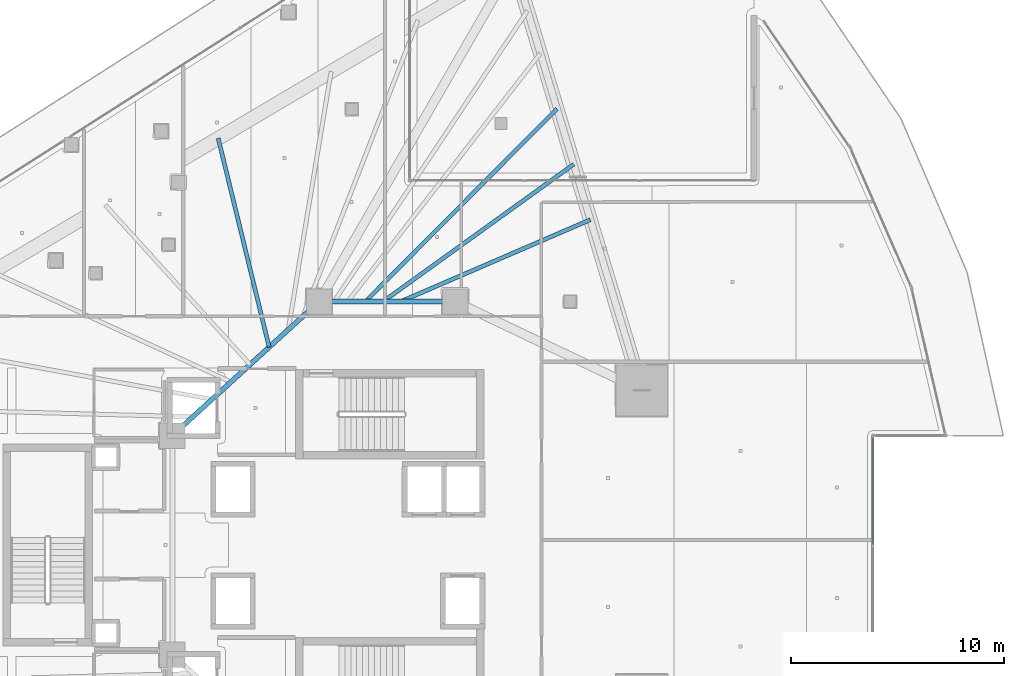
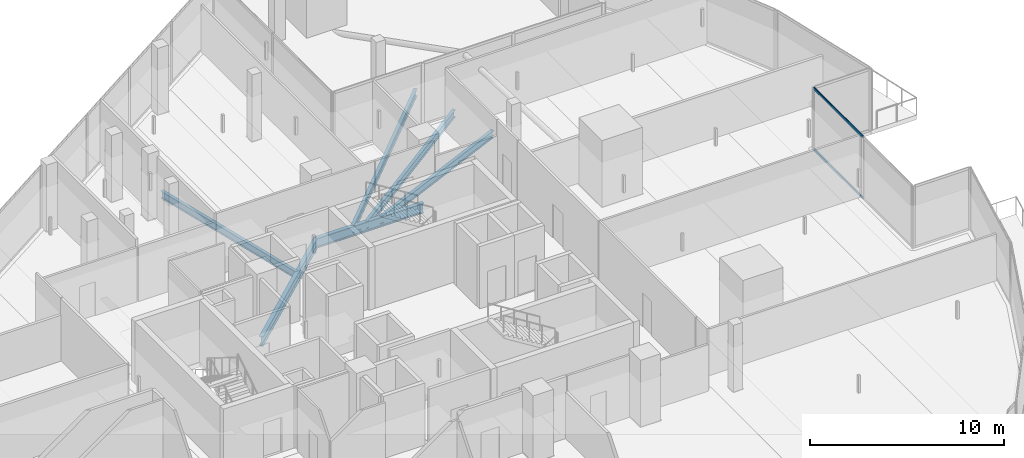
# One storey, part 19 of 47: 6 beams, 2 members, 1 element without a shape of its own.
"""IFC4 building model written with IfcOpenShell, lengths in metres."""

from ifc_helpers import new_model, si_unit, direction, frame, origin, origin_2d, place, context, subcontext, project, spatial, hollow_rectangle, i_section, extrude, material, layer, layer_set, material_profile, profile_set, type_object, element, aggregate, save


model = new_model("IFC4")

# Units and contexts
model_context = context("Model", 3, precision=1e-05, world=origin(), true_north=direction((0.0, 1.0)))
body_context = subcontext(model_context, "Body", "Model", "MODEL_VIEW")
ifc_project = project(units=[si_unit("LENGTHUNIT", "METRE"), si_unit("AREAUNIT", "SQUARE_METRE"), si_unit("VOLUMEUNIT", "CUBIC_METRE"), si_unit("PLANEANGLEUNIT", "RADIAN"), si_unit("MASSUNIT", "GRAM", prefix="KILO")], contexts=[model_context])

# Site, building, storey
site_placement = place(None, origin())
site = spatial("IfcSite", under=ifc_project, at=site_placement, CompositionType="ELEMENT")
building_placement = place(site_placement, origin())
building = spatial("IfcBuilding", under=site, at=building_placement, Name="Qorvath Tower", CompositionType="ELEMENT")
storey_placement = place(building_placement, frame((0.0, 0.0, 82.800048828125)))
storey = spatial("IfcBuildingStorey", under=building, at=storey_placement, Name="L18", CompositionType="ELEMENT", Elevation=82.800048828125)

# Beams
ifc_material_1 = material(Name="Steel ASTM A992 Grade 50", Category="steel")
ifc_material_profile_1 = material_profile(ifc_material_1, i_section(OverallWidth=0.22998046875, OverallDepth=0.616943359375, WebThickness=0.01318359375, FlangeThickness=0.022216796875, FilletRadius=0.014892578125, at=origin_2d()), Name="W24x94")
ifc_profile_set_1 = profile_set([ifc_material_profile_1], Name="Steel ASTM A992 Grade 50")
beam_type_1 = type_object("IfcBeamType", Name="BM-FG6", PredefinedType="BEAM", material=ifc_profile_set_1)
beam_1_placement = place(storey_placement, frame((-23.60009765625, 11.449951171875, -0.588623046875), z_axis=(1.0, 0.0, 0.0), x_axis=(0.0, 1.0, 0.0)))
element("IfcBeam", 1, at=beam_1_placement, inside=storey, type_object=beam_type_1, Name="Core Ring Girder CC1-CC2 L18", PredefinedType="BEAM", context=body_context, shape_type="SweptSolid", body=[
    extrude(i_section(OverallWidth=0.22998046875, OverallDepth=0.616943359375, WebThickness=0.01318359375, FlangeThickness=0.022216796875, FilletRadius=0.014892578125, at=origin_2d()), origin(), (0.0, 0.0, 1.0), 6.400146484375),
])
beam_2_placement = place(storey_placement, frame((-30.5, 5.14990234375, -0.588623046875), z_axis=(0.73847813985, 0.6742774184, 0.0), x_axis=(-0.6742774184, 0.73847813985, 0.0)))
element("IfcBeam", 2, at=beam_2_placement, inside=storey, type_object=beam_type_1, Name="Core Ring Girder CC5-CC1 L18", PredefinedType="BEAM", context=body_context, shape_type="SweptSolid", body=[
    extrude(i_section(OverallWidth=0.22998046875, OverallDepth=0.616943359375, WebThickness=0.01318359375, FlangeThickness=0.022216796875, FilletRadius=0.014892578125, at=origin_2d()), origin(), (0.0, 0.0, 1.0), 9.343505859375),
])
ifc_material_2 = material(Name="Steel ASTM A992 Grade 50", Category="steel")
ifc_material_profile_2 = material_profile(ifc_material_2, i_section(OverallWidth=0.18994140625, OverallDepth=0.45703125, WebThickness=0.009033203125, FlangeThickness=0.014404296875, FilletRadius=0.011962890625, at=origin_2d()), Name="W18x50")
ifc_profile_set_2 = profile_set([ifc_material_profile_2], Name="Steel ASTM A992 Grade 50")
beam_type_2 = type_object("IfcBeamType", Name="BM-FJ2", PredefinedType="JOIST", material=ifc_profile_set_2)
beam_3_placement = place(storey_placement, frame((-19.760009765625, 11.449951171875, -0.508544921875), z_axis=(0.918135537923, 0.396266493667, 0.0), x_axis=(-0.396266493667, 0.918135537923, 0.0)))
element("IfcBeam", 3, at=beam_3_placement, inside=storey, type_object=beam_type_2, Name="Composite Floor Joist NE3 L18", PredefinedType="JOIST", context=body_context, shape_type="SweptSolid", body=[
    extrude(i_section(OverallWidth=0.18994140625, OverallDepth=0.45703125, WebThickness=0.009033203125, FlangeThickness=0.014404296875, FilletRadius=0.011962890625, at=origin_2d()), origin(), (0.0, 0.0, 1.0), 9.7109375),
])
beam_4_placement = place(storey_placement, frame((-20.592041015625, 11.449951171875, -0.508544921875), z_axis=(0.811469358397, 0.584394969505, 0.0), x_axis=(-0.584394969505, 0.811469358397, 0.0)))
element("IfcBeam", 4, at=beam_4_placement, inside=storey, type_object=beam_type_2, Name="Composite Floor Joist NE4 L18", PredefinedType="JOIST", context=body_context, shape_type="SweptSolid", body=[
    extrude(i_section(OverallWidth=0.18994140625, OverallDepth=0.45703125, WebThickness=0.009033203125, FlangeThickness=0.014404296875, FilletRadius=0.011962890625, at=origin_2d()), origin(), (0.0, 0.0, 1.0), 11.046142578125),
])
beam_5_placement = place(storey_placement, frame((-21.424072265625, 11.449951171875, -0.508544921875), z_axis=(0.705107654599, 0.709100271771, 0.0), x_axis=(-0.709100271771, 0.705107654599, 0.0)))
element("IfcBeam", 5, at=beam_5_placement, inside=storey, type_object=beam_type_2, Name="Composite Floor Joist NE5 L18", PredefinedType="JOIST", context=body_context, shape_type="SweptSolid", body=[
    extrude(i_section(OverallWidth=0.18994140625, OverallDepth=0.45703125, WebThickness=0.009033203125, FlangeThickness=0.014404296875, FilletRadius=0.011962890625, at=origin_2d()), origin(), (0.0, 0.0, 1.0), 12.780029296875),
])
beam_6_placement = place(storey_placement, frame((-25.946044921875, 9.30810546875, -0.508544921875), z_axis=(-0.237165308581, 0.97146930801, 0.0), x_axis=(-0.97146930801, -0.237165308581, 0.0)))
element("IfcBeam", 6, at=beam_6_placement, inside=storey, type_object=beam_type_2, Name="Composite Floor Joist NW5 L18", PredefinedType="JOIST", context=body_context, shape_type="SweptSolid", body=[
    extrude(i_section(OverallWidth=0.18994140625, OverallDepth=0.45703125, WebThickness=0.009033203125, FlangeThickness=0.014404296875, FilletRadius=0.011962890625, at=origin_2d()), origin(), (0.0, 0.0, 1.0), 10.104736328125),
])

# Curtain wall, members
ifc_material_3 = material(Name="Anodised aluminium and triple low-E glass", Category="aluminium")
ifc_layer = layer(ifc_material_3, 0.179931640625)
ifc_layer_set = layer_set([ifc_layer], Name="CW-SYS-5")
curtain_wall_type = type_object("IfcCurtainWallType", Name="CW-SYS-5", PredefinedType="NOTDEFINED", material=ifc_layer_set)
curtain_wall_placement = place(storey_placement, origin())
curtain_wall = element("IfcCurtainWall", 7, at=curtain_wall_placement, inside=storey, type_object=curtain_wall_type, Name="Curtain Wall CW-5 CW-T-L18-13.1", PredefinedType="NOTDEFINED")
ifc_material_4 = material(Name="Anodised aluminium 6063-T6", Category="aluminium")
ifc_material_profile_3 = material_profile(ifc_material_4, hollow_rectangle(XDim=0.06494140625, YDim=0.159912109375, WallThickness=0.00341796875, InnerFilletRadius=0.00341796875, OuterFilletRadius=0.007080078125, at=origin_2d()), Name="CWT 160x65")
ifc_profile_set_3 = profile_set([ifc_material_profile_3], Name="Anodised aluminium 6063-T6")
member_type = type_object("IfcMemberType", Name="CWT-160", PredefinedType="USERDEFINED", material=ifc_profile_set_3)
member_1_placement = place(storey_placement, frame((2.43408203125, 0.03759765625, 0.032470703125), z_axis=(0.0, 1.0, 0.0), x_axis=(-1.0, 0.0, 0.0)))
member_1 = element("IfcMember", 8, at=member_1_placement, type_object=member_type, Name="CW-5 transom 2.1", ObjectType="TRANSOM", PredefinedType="USERDEFINED", context=body_context, shape_type="SweptSolid", body=[
    extrude(hollow_rectangle(XDim=0.06494140625, YDim=0.159912109375, WallThickness=0.00341796875, InnerFilletRadius=0.00341796875, OuterFilletRadius=0.007080078125, at=origin_2d()), origin(), (0.0, 0.0, 1.0), 5.0283203125),
])
member_2_placement = place(storey_placement, frame((2.43408203125, 0.03759765625, 3.887451171875), z_axis=(0.0, 1.0, 0.0), x_axis=(-1.0, 0.0, 0.0)))
member_2 = element("IfcMember", 9, at=member_2_placement, type_object=member_type, Name="CW-5 transom 2.2", ObjectType="TRANSOM", PredefinedType="USERDEFINED", context=body_context, shape_type="SweptSolid", body=[
    extrude(hollow_rectangle(XDim=0.06494140625, YDim=0.159912109375, WallThickness=0.00341796875, InnerFilletRadius=0.00341796875, OuterFilletRadius=0.007080078125, at=origin_2d()), origin(), (0.0, 0.0, 1.0), 5.0283203125),
])
aggregate(curtain_wall, [member_1, member_2])

save(model, "model.ifc")
